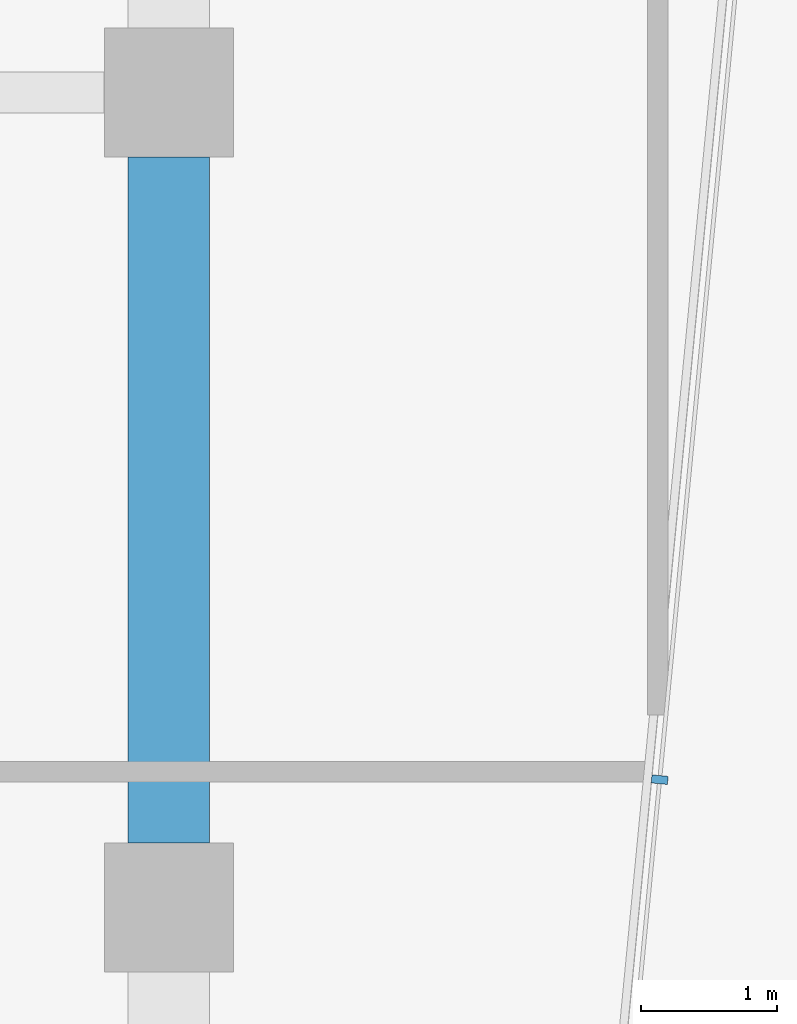
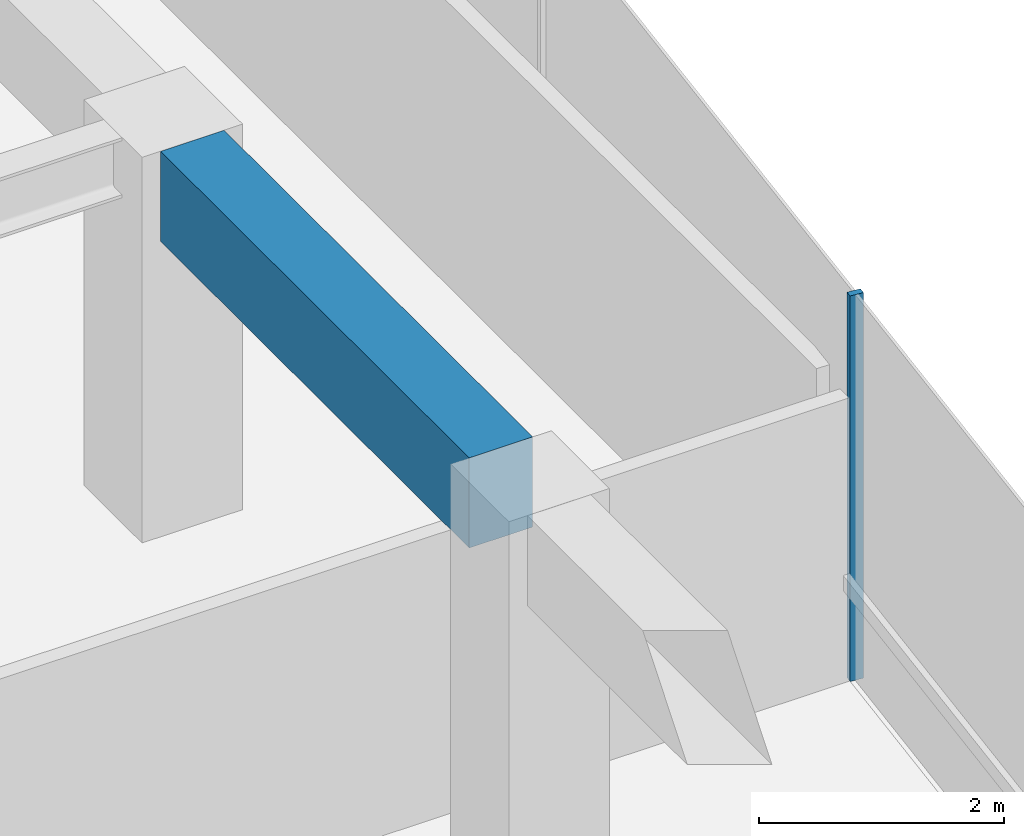
# One storey, part 19 of 31: 1 beam, 1 member, 1 element without a shape of its own.
"""IFC4 building model written with IfcOpenShell, lengths in metres."""

from ifc_helpers import new_model, si_unit, direction, frame, origin, origin_2d, place, context, subcontext, project, spatial, rectangle, extrude, material, layer, layer_set, material_profile, profile_set, type_object, element, aggregate, save


model = new_model("IFC4")

# Units and contexts
model_context = context("Model", 3, precision=1e-05, world=origin(), true_north=direction((0.0, 1.0)))
body_context = subcontext(model_context, "Body", "Model", "MODEL_VIEW")
ifc_project = project(units=[si_unit("LENGTHUNIT", "METRE"), si_unit("AREAUNIT", "SQUARE_METRE"), si_unit("VOLUMEUNIT", "CUBIC_METRE"), si_unit("PLANEANGLEUNIT", "RADIAN"), si_unit("MASSUNIT", "GRAM", prefix="KILO")], contexts=[model_context])

# Site, building, storey
site_placement = place(None, origin())
site = spatial("IfcSite", under=ifc_project, at=site_placement, CompositionType="ELEMENT")
building_placement = place(site_placement, origin())
building = spatial("IfcBuilding", under=site, at=building_placement, Name="Welwitschia Terrace Campus", CompositionType="ELEMENT")
storey_placement = place(building_placement, frame((0.0, 0.0, 29.0)))
storey = spatial("IfcBuildingStorey", under=building, at=storey_placement, Name="L06", CompositionType="ELEMENT", Elevation=29.0)

# Curtain wall, member
ifc_material_1 = material(Name="Bronze anodised aluminium", Category="aluminium")
ifc_layer = layer(ifc_material_1, 0.1201171875)
ifc_layer_set = layer_set([ifc_layer], Name="Bronze anodised aluminium")
curtain_wall_type = type_object("IfcCurtainWallType", Name="Curtain wall CW2 tower 6000", PredefinedType="NOTDEFINED", material=ifc_layer_set)
curtain_wall_placement = place(storey_placement, origin())
curtain_wall = element("IfcCurtainWall", 1, at=curtain_wall_placement, inside=storey, type_object=curtain_wall_type, Name="CW L06.12.0", PredefinedType="NOTDEFINED")
ifc_material_2 = material(Name="Bronze anodised aluminium", Category="aluminium")
ifc_material_profile_1 = material_profile(ifc_material_2, rectangle(XDim=0.1201171875, YDim=0.06005859375, at=origin_2d()))
ifc_profile_set_1 = profile_set([ifc_material_profile_1], Name="Bronze anodised aluminium")
member_type = type_object("IfcMemberType", Name="Mullion 60x120", PredefinedType="MULLION", material=ifc_profile_set_1)
member_placement = place(storey_placement, frame((27.614501953125, 50.94091796875, 0.0), z_axis=(0.0, 0.0, 1.0), x_axis=(-0.995396198367, 0.09584575252, 0.0)))
member = element("IfcMember", 2, at=member_placement, type_object=member_type, Name="Mullion L06.12.0.4", PredefinedType="MULLION", context=body_context, shape_type="SweptSolid", body=[
    extrude(rectangle(XDim=0.1201171875, YDim=0.06005859375, at=origin_2d()), origin(), (0.0, 0.0, 1.0), 3.85009765625),
])
aggregate(curtain_wall, [member])

# Beam
ifc_material_3 = material(Name="Concrete C60/75", Category="concrete")
ifc_material_profile_2 = material_profile(ifc_material_3, rectangle(XDim=0.60009765625, YDim=0.89990234375, at=origin_2d()))
ifc_profile_set_2 = profile_set([ifc_material_profile_2], Name="Concrete C60/75")
beam_type = type_object("IfcBeamType", Name="Ring spandrel 600x900", PredefinedType="SPANDREL", material=ifc_profile_set_2)
beam_placement = place(storey_placement, frame((24.0, 50.4755859375, 3.39990234375), z_axis=(0.0, 1.0, 0.0), x_axis=(-1.0, 0.0, 0.0)))
element("IfcBeam", 3, at=beam_placement, inside=storey, type_object=beam_type, Name="Spandrel SP2", PredefinedType="SPANDREL", context=body_context, shape_type="SweptSolid", body=[
    extrude(rectangle(XDim=0.60009765625, YDim=0.89990234375, at=origin_2d()), origin(), (0.0, 0.0, 1.0), 5.048828125),
])

save(model, "model.ifc")
